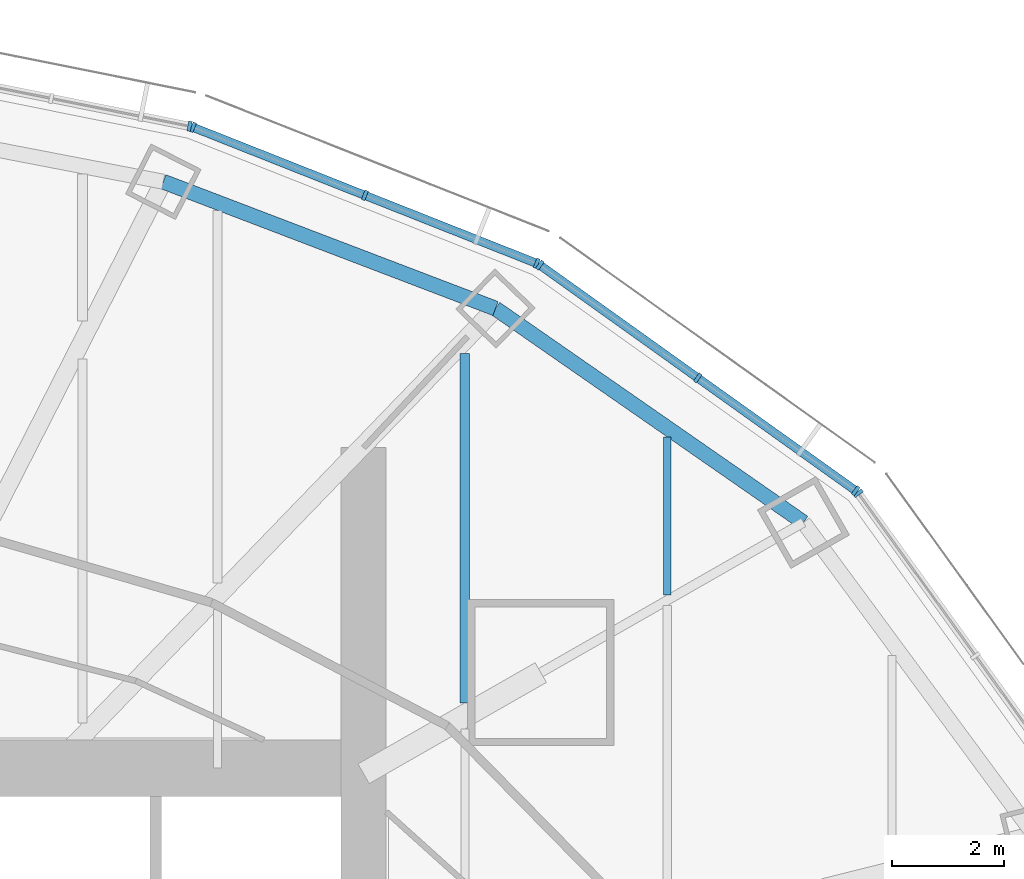
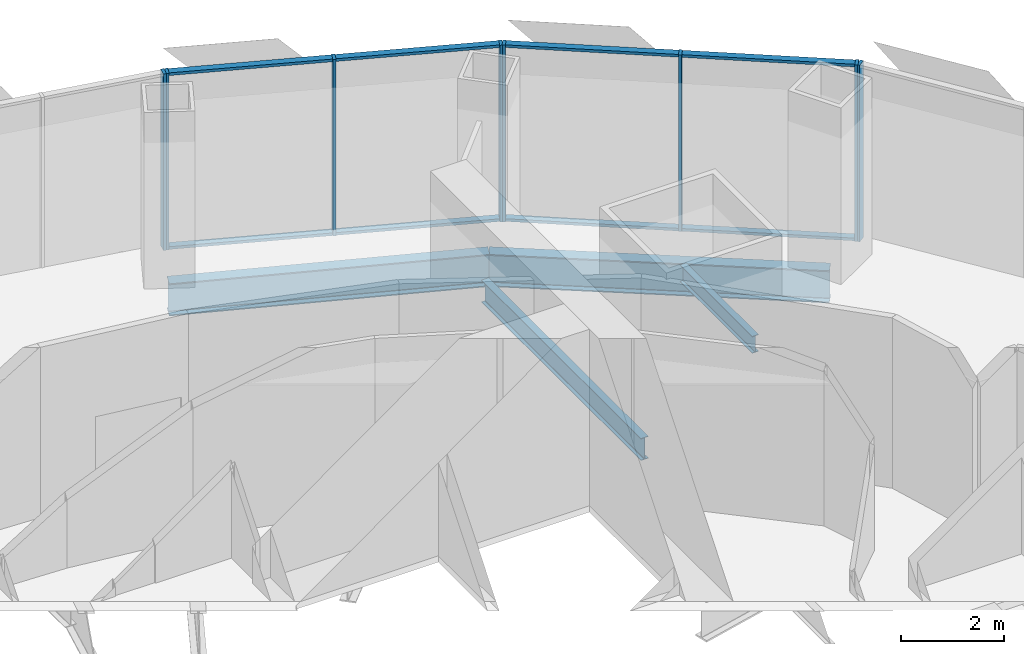
# One storey, part 9 of 17: 16 members, 4 beams, 4 elements without a shape of their own.
"""IFC4 building model written with IfcOpenShell, lengths in metres."""

from ifc_helpers import new_model, si_unit, direction, frame, origin, origin_2d, place, context, subcontext, project, spatial, rectangle, i_section, extrude, material, material_profile, profile_set, type_object, element, aggregate, save


model = new_model("IFC4")

# Units and contexts
model_context = context("Model", 3, precision=1e-05, world=origin(), true_north=direction((0.0, 1.0)))
body_context = subcontext(model_context, "Body", "Model", "MODEL_VIEW")
ifc_project = project(units=[si_unit("LENGTHUNIT", "METRE"), si_unit("AREAUNIT", "SQUARE_METRE"), si_unit("VOLUMEUNIT", "CUBIC_METRE"), si_unit("PLANEANGLEUNIT", "RADIAN"), si_unit("MASSUNIT", "GRAM", prefix="KILO")], contexts=[model_context])

# Site, building, storey
site_placement = place(None, origin())
site = spatial("IfcSite", under=ifc_project, at=site_placement, CompositionType="ELEMENT")
building_placement = place(site_placement, origin())
building = spatial("IfcBuilding", under=site, at=building_placement, Name="Lantaw Convention Tower", CompositionType="ELEMENT")
storey_placement = place(building_placement, frame((0.0, 0.0, 215.800048828125)))
storey = spatial("IfcBuildingStorey", under=building, at=storey_placement, Name="L50", CompositionType="ELEMENT", Elevation=215.800048828125)

# Beams
ifc_material_1 = material(Name="Steel ASTM A992", Category="steel")
ifc_material_profile_1 = material_profile(ifc_material_1, i_section(OverallWidth=0.2666015625, OverallDepth=0.76953125, WebThickness=0.015625, FlangeThickness=0.025390625, FilletRadius=0.0126953125, at=origin_2d()), Name="W30X132")
ifc_profile_set_1 = profile_set([ifc_material_profile_1], Name="Steel ASTM A992")
beam_type_1 = type_object("IfcBeamType", Name="Beam E W30X132", PredefinedType="SPANDREL", material=ifc_profile_set_1)
beam_1_placement = place(storey_placement, frame((20.423095703125, 11.67041015625, -0.534912109375), z_axis=(-0.82135329406, 0.570419815869, 0.0), x_axis=(-0.570419815869, -0.82135329406, 0.0)))
element("IfcBeam", 1, at=beam_1_placement, inside=storey, type_object=beam_type_1, Name="Edge beam 3", PredefinedType="SPANDREL", context=body_context, shape_type="SweptSolid", body=[
    extrude(i_section(OverallWidth=0.2666015625, OverallDepth=0.76953125, WebThickness=0.015625, FlangeThickness=0.025390625, FilletRadius=0.0126953125, at=origin_2d()), origin(), (0.0, 0.0, 1.0), 6.67041015625),
])
beam_2_placement = place(storey_placement, frame((14.9443359375, 15.475341796875, -0.534912109375), z_axis=(-0.934234988, 0.356658081637, 0.0), x_axis=(-0.356658081637, -0.934234988, 0.0)))
element("IfcBeam", 2, at=beam_2_placement, inside=storey, type_object=beam_type_1, Name="Edge beam 4", PredefinedType="SPANDREL", context=body_context, shape_type="SweptSolid", body=[
    extrude(i_section(OverallWidth=0.2666015625, OverallDepth=0.76953125, WebThickness=0.015625, FlangeThickness=0.025390625, FilletRadius=0.0126953125, at=origin_2d()), origin(), (0.0, 0.0, 1.0), 6.32568359375),
])
ifc_material_profile_2 = material_profile(ifc_material_1, i_section(OverallWidth=0.140380859375, OverallDepth=0.40380859375, WebThickness=0.007080078125, FlangeThickness=0.01123046875, FilletRadius=0.01025390625, at=origin_2d()), Name="W16X31")
ifc_profile_set_2 = profile_set([ifc_material_profile_2], Name="Steel ASTM A992")
beam_type_2 = type_object("IfcBeamType", Name="Beam J W16X31", PredefinedType="JOIST", material=ifc_profile_set_2)
beam_3_placement = place(storey_placement, frame((18.0, 10.380859375, -0.35205078125), z_axis=(0.0, 1.0, 0.0), x_axis=(-1.0, 0.0, 0.0)))
element("IfcBeam", 3, at=beam_3_placement, inside=storey, type_object=beam_type_2, Name="Floor joist", PredefinedType="JOIST", context=body_context, shape_type="SweptSolid", body=[
    extrude(i_section(OverallWidth=0.140380859375, OverallDepth=0.40380859375, WebThickness=0.007080078125, FlangeThickness=0.01123046875, FilletRadius=0.01025390625, at=origin_2d()), origin(), (0.0, 0.0, 1.0), 2.81005859375),
])
ifc_material_profile_3 = material_profile(ifc_material_1, i_section(OverallWidth=0.1650390625, OverallDepth=0.52587890625, WebThickness=0.0087890625, FlangeThickness=0.011474609375, FilletRadius=0.0126953125, at=origin_2d()), Name="W21X44")
ifc_profile_set_3 = profile_set([ifc_material_profile_3], Name="Steel ASTM A992")
beam_type_3 = type_object("IfcBeamType", Name="Beam J W21X44", PredefinedType="JOIST", material=ifc_profile_set_3)
beam_4_placement = place(storey_placement, frame((14.39990234375, 8.461181640625, -0.412841796875), z_axis=(0.0, 1.0, 0.0), x_axis=(-1.0, 0.0, 0.0)))
element("IfcBeam", 4, at=beam_4_placement, inside=storey, type_object=beam_type_3, Name="Floor joist", PredefinedType="JOIST", context=body_context, shape_type="SweptSolid", body=[
    extrude(i_section(OverallWidth=0.1650390625, OverallDepth=0.52587890625, WebThickness=0.0087890625, FlangeThickness=0.011474609375, FilletRadius=0.0126953125, at=origin_2d()), origin(), (0.0, 0.0, 1.0), 6.214599609375),
])

# Curtain wall, member
ifc_material_2 = material(Name="Aluminium framed curtain wall", Category="aluminium")
curtain_wall_type = type_object("IfcCurtainWallType", Name="Office curtain wall high rise, pale aluminium", PredefinedType="USERDEFINED", material=ifc_material_2)
curtain_wall_1_placement = place(storey_placement, origin())
curtain_wall_1 = element("IfcCurtainWall", 5, at=curtain_wall_1_placement, inside=storey, type_object=curtain_wall_type, Name="Office curtain wall high rise, pale aluminium L50", ObjectType="UNITISED CURTAIN WALL", PredefinedType="USERDEFINED")
ifc_material_3 = material(Name="Aluminium 6063-T6", Category="aluminium")
ifc_material_profile_4 = material_profile(ifc_material_3, rectangle(XDim=0.179931640625, YDim=0.06494140625, at=origin_2d()), Name="CW-O2 mullion 65x180")
ifc_profile_set_4 = profile_set([ifc_material_profile_4], Name="Aluminium 6063-T6")
member_type_1 = type_object("IfcMemberType", Name="CW-O2 mullion 65x180", PredefinedType="MULLION", material=ifc_profile_set_4)
member_1_placement = place(storey_placement, frame((21.397216796875, 12.189697265625, -0.150146484375), z_axis=(0.0, 0.0, 1.0), x_axis=(-0.810919559405, -0.585157643865, 0.0)))
member_1 = element("IfcMember", 6, at=member_1_placement, type_object=member_type_1, Name="CW-O2 mullion 3", PredefinedType="MULLION", context=body_context, shape_type="SweptSolid", body=[
    extrude(rectangle(XDim=0.179931640625, YDim=0.06494140625, at=origin_2d()), origin(), (0.0, 0.0, 1.0), 4.2001953125),
])
aggregate(curtain_wall_1, [member_1])

# Curtain wall, members
curtain_wall_2_placement = place(storey_placement, origin())
curtain_wall_2 = element("IfcCurtainWall", 7, at=curtain_wall_2_placement, inside=storey, type_object=curtain_wall_type, Name="Office curtain wall high rise, pale aluminium L50", ObjectType="UNITISED CURTAIN WALL", PredefinedType="USERDEFINED")
member_2_placement = place(storey_placement, frame((21.3515625, 12.23486328125, -0.150146484375), z_axis=(0.0, 0.0, 1.0), x_axis=(-0.581323487281, -0.813672540482, 0.0)))
member_2 = element("IfcMember", 8, at=member_2_placement, type_object=member_type_1, Name="CW-O2 mullion 1", PredefinedType="MULLION", context=body_context, shape_type="SweptSolid", body=[
    extrude(rectangle(XDim=0.179931640625, YDim=0.06494140625, at=origin_2d()), origin(), (0.0, 0.0, 1.0), 4.2001953125),
])
member_3_placement = place(storey_placement, frame((18.543212890625, 14.241455078125, -0.150146484375), z_axis=(0.0, 0.0, 1.0), x_axis=(-0.581323487281, -0.813672540482, 0.0)))
member_3 = element("IfcMember", 9, at=member_3_placement, type_object=member_type_1, Name="CW-O2 mullion 2", PredefinedType="MULLION", context=body_context, shape_type="SweptSolid", body=[
    extrude(rectangle(XDim=0.179931640625, YDim=0.06494140625, at=origin_2d()), origin(), (0.0, 0.0, 1.0), 4.2001953125),
])
member_4_placement = place(storey_placement, frame((15.73486328125, 16.247802734375, -0.150146484375), z_axis=(0.0, 0.0, 1.0), x_axis=(-0.581323487281, -0.813672540482, 0.0)))
member_4 = element("IfcMember", 10, at=member_4_placement, type_object=member_type_1, Name="CW-O2 mullion 3", PredefinedType="MULLION", context=body_context, shape_type="SweptSolid", body=[
    extrude(rectangle(XDim=0.179931640625, YDim=0.06494140625, at=origin_2d()), origin(), (0.0, 0.0, 1.0), 4.2001953125),
])

curtain_wall_3_placement = place(storey_placement, origin())
curtain_wall_3 = element("IfcCurtainWall", 11, at=curtain_wall_3_placement, inside=storey, type_object=curtain_wall_type, Name="Office curtain wall high rise, pale aluminium L50", ObjectType="UNITISED CURTAIN WALL", PredefinedType="USERDEFINED")
member_5_placement = place(storey_placement, frame((15.67822265625, 16.278564453125, -0.150146484375), z_axis=(0.0, 0.0, 1.0), x_axis=(-0.368162315252, -0.929761533743, 0.0)))
member_5 = element("IfcMember", 12, at=member_5_placement, type_object=member_type_1, Name="CW-O2 mullion 1", PredefinedType="MULLION", context=body_context, shape_type="SweptSolid", body=[
    extrude(rectangle(XDim=0.179931640625, YDim=0.06494140625, at=origin_2d()), origin(), (0.0, 0.0, 1.0), 4.2001953125),
])
member_6_placement = place(storey_placement, frame((12.621337890625, 17.4892578125, -0.150146484375), z_axis=(0.0, 0.0, 1.0), x_axis=(-0.368162315252, -0.929761533743, 0.0)))
member_6 = element("IfcMember", 13, at=member_6_placement, type_object=member_type_1, Name="CW-O2 mullion 2", PredefinedType="MULLION", context=body_context, shape_type="SweptSolid", body=[
    extrude(rectangle(XDim=0.179931640625, YDim=0.06494140625, at=origin_2d()), origin(), (0.0, 0.0, 1.0), 4.2001953125),
])
member_7_placement = place(storey_placement, frame((9.564208984375, 18.69970703125, -0.150146484375), z_axis=(0.0, 0.0, 1.0), x_axis=(-0.368162315252, -0.929761533743, 0.0)))
member_7 = element("IfcMember", 14, at=member_7_placement, type_object=member_type_1, Name="CW-O2 mullion 3", PredefinedType="MULLION", context=body_context, shape_type="SweptSolid", body=[
    extrude(rectangle(XDim=0.179931640625, YDim=0.06494140625, at=origin_2d()), origin(), (0.0, 0.0, 1.0), 4.2001953125),
])

# Curtain wall, member
curtain_wall_4_placement = place(storey_placement, origin())
curtain_wall_4 = element("IfcCurtainWall", 15, at=curtain_wall_4_placement, inside=storey, type_object=curtain_wall_type, Name="Office curtain wall high rise, pale aluminium L50", ObjectType="UNITISED CURTAIN WALL", PredefinedType="USERDEFINED")
member_8_placement = place(storey_placement, frame((9.502197265625, 18.718017578125, -0.150146484375), z_axis=(0.0, 0.0, 1.0), x_axis=(-0.197183095987, -0.980366679695, 0.0)))
member_8 = element("IfcMember", 16, at=member_8_placement, type_object=member_type_1, Name="CW-O2 mullion 1", PredefinedType="MULLION", context=body_context, shape_type="SweptSolid", body=[
    extrude(rectangle(XDim=0.179931640625, YDim=0.06494140625, at=origin_2d()), origin(), (0.0, 0.0, 1.0), 4.2001953125),
])
aggregate(curtain_wall_4, [member_8])

# Member
ifc_material_profile_5 = material_profile(ifc_material_3, rectangle(XDim=0.14990234375, YDim=0.06494140625, at=origin_2d()), Name="CW-O2 transom 65x150")
ifc_profile_set_5 = profile_set([ifc_material_profile_5], Name="Aluminium 6063-T6")
member_type_2 = type_object("IfcMemberType", Name="CW-O2 transom 65x150", PredefinedType="USERDEFINED", material=ifc_profile_set_5)
member_9_placement = place(storey_placement, frame((21.3251953125, 12.25390625, -0.117431640625), z_axis=(-0.813679882592, 0.581313210468, 0.0), x_axis=(-0.581313210468, -0.813679882592, 0.0)))
member_9 = element("IfcMember", 17, at=member_9_placement, type_object=member_type_2, Name="CW-O2 transom 1.1", ObjectType="TRANSOM", PredefinedType="USERDEFINED", context=body_context, shape_type="SweptSolid", body=[
    extrude(rectangle(XDim=0.14990234375, YDim=0.06494140625, at=origin_2d()), origin(), (0.0, 0.0, 1.0), 3.38623046875),
])

member_10_placement = place(storey_placement, frame((21.3251953125, 12.25390625, 4.017333984375), z_axis=(-0.813679882592, 0.581313210468, 0.0), x_axis=(-0.581313210468, -0.813679882592, 0.0)))
member_10 = element("IfcMember", 18, at=member_10_placement, type_object=member_type_2, Name="CW-O2 transom 1.2", ObjectType="TRANSOM", PredefinedType="USERDEFINED", context=body_context, shape_type="SweptSolid", body=[
    extrude(rectangle(XDim=0.14990234375, YDim=0.06494140625, at=origin_2d()), origin(), (0.0, 0.0, 1.0), 3.38623046875),
])

member_11_placement = place(storey_placement, frame((18.516845703125, 14.26025390625, -0.117431640625), z_axis=(-0.813645780821, 0.581360940683, 0.0), x_axis=(-0.581360940683, -0.813645780821, 0.0)))
member_11 = element("IfcMember", 19, at=member_11_placement, type_object=member_type_2, Name="CW-O2 transom 2.1", ObjectType="TRANSOM", PredefinedType="USERDEFINED", context=body_context, shape_type="SweptSolid", body=[
    extrude(rectangle(XDim=0.14990234375, YDim=0.06494140625, at=origin_2d()), origin(), (0.0, 0.0, 1.0), 3.386474609375),
])

member_12_placement = place(storey_placement, frame((18.516845703125, 14.26025390625, 4.017333984375), z_axis=(-0.813645780821, 0.581360940683, 0.0), x_axis=(-0.581360940683, -0.813645780821, 0.0)))
member_12 = element("IfcMember", 20, at=member_12_placement, type_object=member_type_2, Name="CW-O2 transom 2.2", ObjectType="TRANSOM", PredefinedType="USERDEFINED", context=body_context, shape_type="SweptSolid", body=[
    extrude(rectangle(XDim=0.14990234375, YDim=0.06494140625, at=origin_2d()), origin(), (0.0, 0.0, 1.0), 3.386474609375),
])

aggregate(curtain_wall_2, [member_2, member_3, member_4, member_9, member_10, member_11, member_12])

member_13_placement = place(storey_placement, frame((15.648193359375, 16.29052734375, -0.117431640625), z_axis=(-0.929740712354, 0.368214893495, 0.0), x_axis=(-0.368214893495, -0.929740712354, 0.0)))
member_13 = element("IfcMember", 21, at=member_13_placement, type_object=member_type_2, Name="CW-O2 transom 1.1", ObjectType="TRANSOM", PredefinedType="USERDEFINED", context=body_context, shape_type="SweptSolid", body=[
    extrude(rectangle(XDim=0.14990234375, YDim=0.06494140625, at=origin_2d()), origin(), (0.0, 0.0, 1.0), 3.22314453125),
])

member_14_placement = place(storey_placement, frame((15.648193359375, 16.29052734375, 4.017333984375), z_axis=(-0.929740712354, 0.368214893495, 0.0), x_axis=(-0.368214893495, -0.929740712354, 0.0)))
member_14 = element("IfcMember", 22, at=member_14_placement, type_object=member_type_2, Name="CW-O2 transom 1.2", ObjectType="TRANSOM", PredefinedType="USERDEFINED", context=body_context, shape_type="SweptSolid", body=[
    extrude(rectangle(XDim=0.14990234375, YDim=0.06494140625, at=origin_2d()), origin(), (0.0, 0.0, 1.0), 3.22314453125),
])

member_15_placement = place(storey_placement, frame((12.591064453125, 17.501220703125, -0.117431640625), z_axis=(-0.929766642946, 0.368149412149, 0.0), x_axis=(-0.368149412149, -0.929766642946, 0.0)))
member_15 = element("IfcMember", 23, at=member_15_placement, type_object=member_type_2, Name="CW-O2 transom 2.1", ObjectType="TRANSOM", PredefinedType="USERDEFINED", context=body_context, shape_type="SweptSolid", body=[
    extrude(rectangle(XDim=0.14990234375, YDim=0.06494140625, at=origin_2d()), origin(), (0.0, 0.0, 1.0), 3.222900390625),
])

member_16_placement = place(storey_placement, frame((12.591064453125, 17.501220703125, 4.017333984375), z_axis=(-0.929766642946, 0.368149412149, 0.0), x_axis=(-0.368149412149, -0.929766642946, 0.0)))
member_16 = element("IfcMember", 24, at=member_16_placement, type_object=member_type_2, Name="CW-O2 transom 2.2", ObjectType="TRANSOM", PredefinedType="USERDEFINED", context=body_context, shape_type="SweptSolid", body=[
    extrude(rectangle(XDim=0.14990234375, YDim=0.06494140625, at=origin_2d()), origin(), (0.0, 0.0, 1.0), 3.222900390625),
])

aggregate(curtain_wall_3, [member_5, member_6, member_7, member_13, member_14, member_15, member_16])

save(model, "model.ifc")
